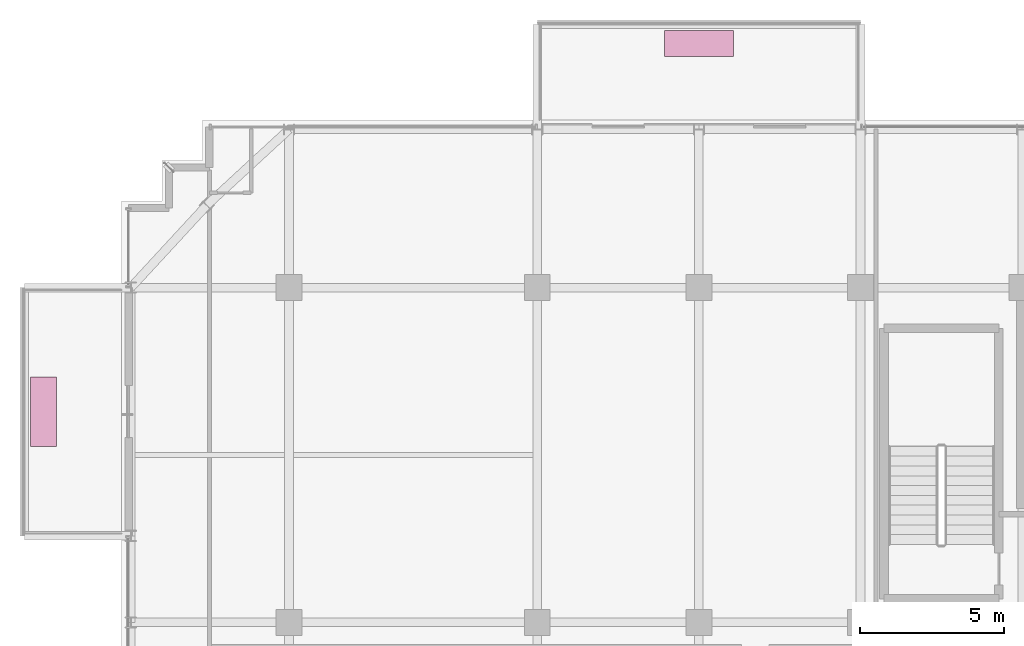
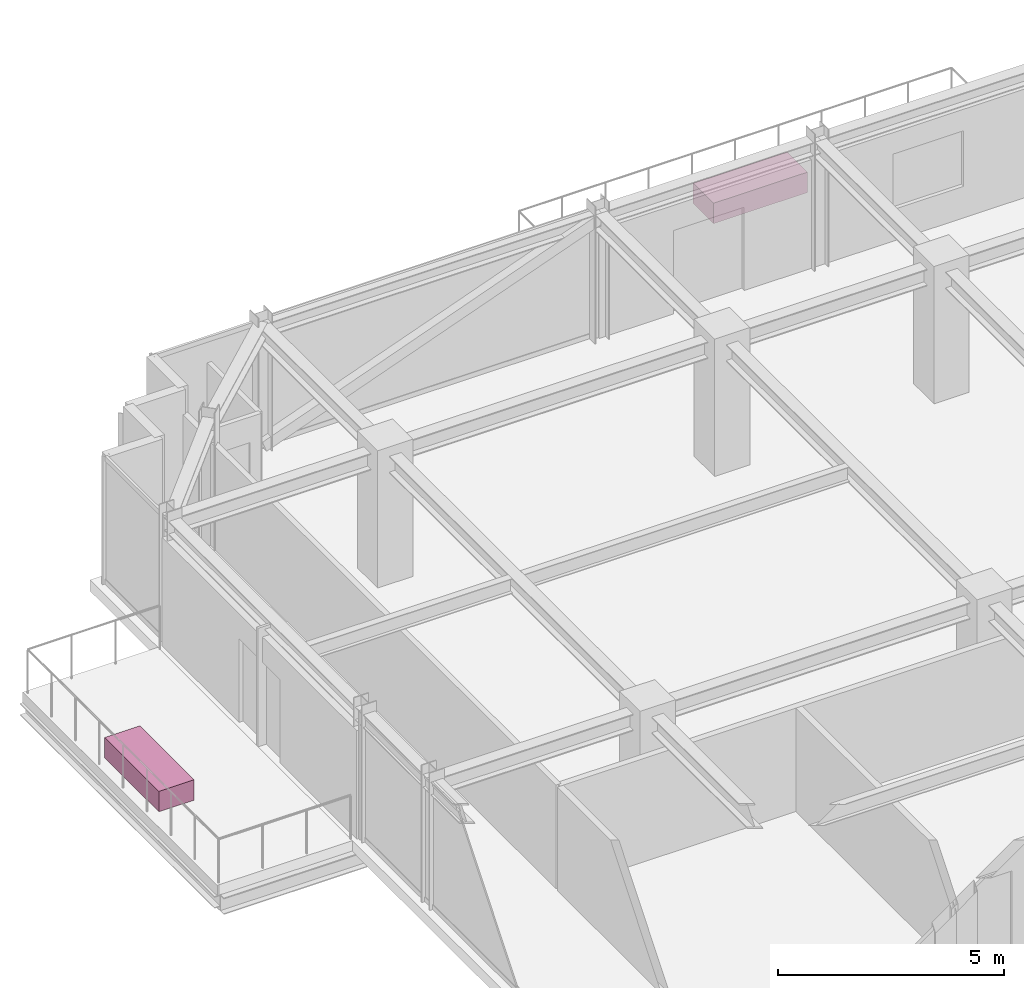
# One storey, part 36 of 36: 2 furnishings.
"""IFC4 building model written with IfcOpenShell, lengths in metres."""

from ifc_helpers import new_model, si_unit, direction, frame, origin, origin_2d, place, context, subcontext, project, spatial, rectangle, extrude, source, transform, mapped, material, type_object, element, save


model = new_model("IFC4")

# Units and contexts
model_context = context("Model", 3, precision=1e-05, world=origin(), true_north=direction((0.0, 1.0)))
body_context = subcontext(model_context, "Body", "Model", "MODEL_VIEW")
ifc_project = project(units=[si_unit("LENGTHUNIT", "METRE"), si_unit("AREAUNIT", "SQUARE_METRE"), si_unit("VOLUMEUNIT", "CUBIC_METRE"), si_unit("PLANEANGLEUNIT", "RADIAN"), si_unit("MASSUNIT", "GRAM", prefix="KILO")], contexts=[model_context])

# Site, building, storey
site_placement = place(None, origin())
site = spatial("IfcSite", under=ifc_project, at=site_placement, CompositionType="ELEMENT")
building_placement = place(site_placement, origin())
building = spatial("IfcBuilding", under=site, at=building_placement, Name="Nahalor Promenade Grand Hotel", CompositionType="ELEMENT")
storey_placement = place(building_placement, frame((0.0, 0.0, 273.800048828125)))
storey = spatial("IfcBuildingStorey", under=building, at=storey_placement, Name="L70", CompositionType="ELEMENT", Elevation=273.800048828125)

# Furnishings
ifc_material = material(Name="Vegetated Volcanic-Lapilli Tree Planter", Category="earth")
furnishing_element_type = type_object("IfcFurnishingElementType", Name="Planter-VerticalForest-Box", material=ifc_material)
shared_shape = source(origin(), body_context, "Body", "SweptSolid", [
    extrude(rectangle(XDim=2.39990234375, YDim=0.89990234375, at=origin_2d()), origin(), (0.0, 0.0, 1.0), 0.550048828125),
])
for number, where, z_axis, x_axis, name in (
    (1, (-2.800048828125, 25.449951171875, 0.0), (0.0, 0.0, 1.0), (1.0, 0.0, 0.0), "L70 Balcony Structural Tree Planter 1"),
    (2, (-25.5, 12.699951171875, 0.0), (0.0, 0.0, 1.0), (0.0, 1.0, 0.0), "L70 Balcony Structural Tree Planter 2"),
):
    element("IfcFurnishingElement", number, at=place(storey_placement, frame(where, z_axis=z_axis, x_axis=x_axis)), inside=storey, type_object=furnishing_element_type, Name=name, ObjectType="PLANTER", context=body_context, shape_type="MappedRepresentation", body=[
        mapped(shared_shape, transform((0.0, 0.0, 0.0), scale=1.0)),
    ])

save(model, "model.ifc")
